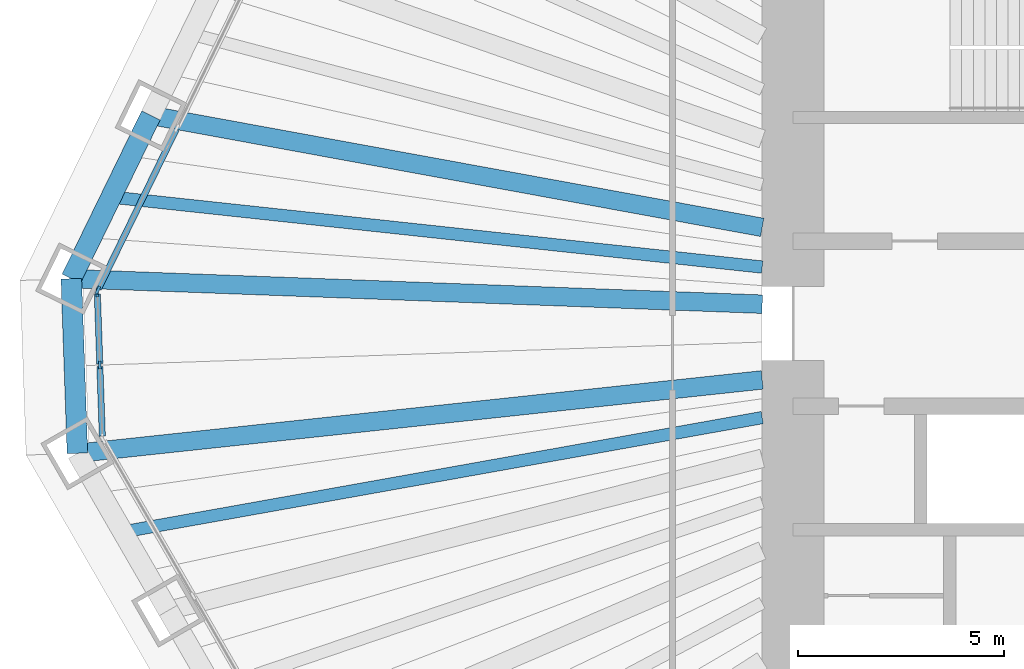
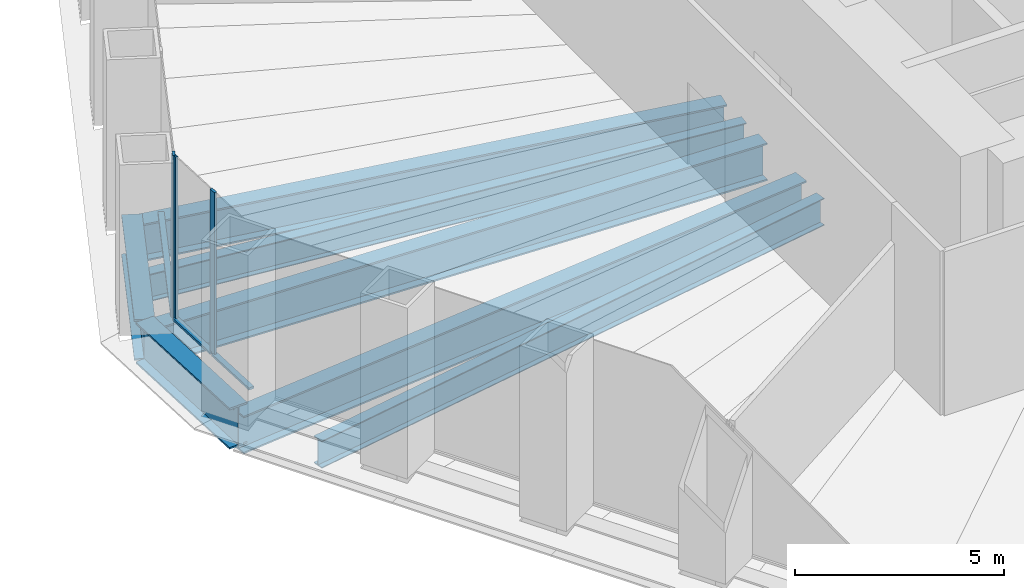
# One storey, part 3 of 14: 7 beams, 6 members, 2 elements without a shape of their own.
"""IFC4 building model written with IfcOpenShell, lengths in metres."""

from ifc_helpers import new_model, si_unit, direction, frame, origin, origin_2d, place, context, subcontext, project, spatial, rectangle, i_section, extrude, material, material_profile, profile_set, type_object, element, aggregate, save


model = new_model("IFC4")

# Units and contexts
model_context = context("Model", 3, precision=1e-05, world=origin(), true_north=direction((0.0, 1.0)))
body_context = subcontext(model_context, "Body", "Model", "MODEL_VIEW")
ifc_project = project(units=[si_unit("LENGTHUNIT", "METRE"), si_unit("AREAUNIT", "SQUARE_METRE"), si_unit("VOLUMEUNIT", "CUBIC_METRE"), si_unit("PLANEANGLEUNIT", "RADIAN"), si_unit("MASSUNIT", "GRAM", prefix="KILO")], contexts=[model_context])

# Site, building, storey
site_placement = place(None, origin())
site = spatial("IfcSite", under=ifc_project, at=site_placement, CompositionType="ELEMENT")
building_placement = place(site_placement, origin())
building = spatial("IfcBuilding", under=site, at=building_placement, Name="Qingtian Harvest Tower", CompositionType="ELEMENT")
storey_placement = place(building_placement, frame((0.0, 0.0, 57.0)))
storey = spatial("IfcBuildingStorey", under=building, at=storey_placement, Name="L11", CompositionType="ELEMENT", Elevation=57.0)

# Beams
ifc_material_1 = material(Name="Steel SM570MC", Category="steel")
ifc_material_profile_1 = material_profile(ifc_material_1, i_section(OverallWidth=0.449951171875, OverallDepth=1.10009765625, WebThickness=0.02197265625, FlangeThickness=0.044921875, at=origin_2d()), Name="H1100x450x22x45")
ifc_profile_set_1 = profile_set([ifc_material_profile_1], Name="Steel SM570MC")
beam_type_1 = type_object("IfcBeamType", Name="Corner floor beam FB8 H1100x450x22x45", PredefinedType="BEAM", material=ifc_profile_set_1)
beam_1_placement = place(storey_placement, frame((-29.36083984375, -3.145751953125, -0.75), z_axis=(0.994308822197, 0.106536219669, 0.0), x_axis=(-0.106536219669, 0.994308822197, 0.0)))
element("IfcBeam", 1, at=beam_1_placement, inside=storey, type_object=beam_type_1, Name="Floor beam FB8 SW6", PredefinedType="BEAM", context=body_context, shape_type="SweptSolid", body=[
    extrude(i_section(OverallWidth=0.449951171875, OverallDepth=1.10009765625, WebThickness=0.02197265625, FlangeThickness=0.044921875, at=origin_2d()), origin(), (0.0, 0.0, 1.0), 16.705810546875),
])
beam_2_placement = place(storey_placement, frame((-29.5087890625, 1.08984375, -0.75), z_axis=(0.999318796571, -0.036904509488, 0.0), x_axis=(0.036904509488, 0.999318796571, 0.0)))
element("IfcBeam", 2, at=beam_2_placement, inside=storey, type_object=beam_type_1, Name="Floor beam FB8 NW0", PredefinedType="BEAM", context=body_context, shape_type="SweptSolid", body=[
    extrude(i_section(OverallWidth=0.449951171875, OverallDepth=1.10009765625, WebThickness=0.02197265625, FlangeThickness=0.044921875, at=origin_2d()), origin(), (0.0, 0.0, 1.0), 16.770263671875),
])
ifc_material_2 = material(Name="Steel SM570MC", Category="steel")
ifc_material_profile_2 = material_profile(ifc_material_2, i_section(OverallWidth=0.449951171875, OverallDepth=1.10009765625, WebThickness=0.02197265625, FlangeThickness=0.044921875, at=origin_2d()), Name="H1100x450x22x45")
ifc_profile_set_2 = profile_set([ifc_material_profile_2], Name="Steel SM570MC")
beam_type_2 = type_object("IfcBeamType", Name="Floor beam FB1 H1100x450x22x45", PredefinedType="BEAM", material=ifc_profile_set_2)
beam_3_placement = place(storey_placement, frame((-27.577880859375, 5.048828125, -0.75), z_axis=(0.98365177106, -0.180081074215, 0.0), x_axis=(0.180081074215, 0.98365177106, 0.0)))
element("IfcBeam", 3, at=beam_3_placement, inside=storey, type_object=beam_type_2, Name="Floor beam FB1 NW1", PredefinedType="BEAM", context=body_context, shape_type="SweptSolid", body=[
    extrude(i_section(OverallWidth=0.449951171875, OverallDepth=1.10009765625, WebThickness=0.02197265625, FlangeThickness=0.044921875, at=origin_2d()), origin(), (0.0, 0.0, 1.0), 15.07421875),
])
ifc_material_3 = material(Name="Steel SN490B", Category="steel")
ifc_material_profile_3 = material_profile(ifc_material_3, i_section(OverallWidth=0.300048828125, OverallDepth=0.800048828125, WebThickness=0.013916015625, FlangeThickness=0.02587890625, at=origin_2d()), Name="H800x300x14x26")
ifc_profile_set_3 = profile_set([ifc_material_profile_3], Name="Steel SN490B")
beam_type_3 = type_object("IfcBeamType", Name="Floor joist J1 H800x300x14x26", PredefinedType="JOIST", material=ifc_profile_set_3)
beam_4_placement = place(storey_placement, frame((-28.259521484375, -5.052978515625, -0.60009765625), z_axis=(0.984387614034, 0.176014275943, 0.0), x_axis=(-0.176014275943, 0.984387614034, 0.0)))
element("IfcBeam", 4, at=beam_4_placement, inside=storey, type_object=beam_type_3, Name="Floor joist J1 SW5", PredefinedType="JOIST", context=body_context, shape_type="SweptSolid", body=[
    extrude(i_section(OverallWidth=0.300048828125, OverallDepth=0.800048828125, WebThickness=0.013916015625, FlangeThickness=0.02587890625, at=origin_2d()), origin(), (0.0, 0.0, 1.0), 15.755615234375),
])
beam_5_placement = place(storey_placement, frame((-28.543212890625, 3.0693359375, -0.60009765625), z_axis=(0.994268320665, -0.106913546948, 0.0), x_axis=(0.106913546948, 0.994268320665, 0.0)))
element("IfcBeam", 5, at=beam_5_placement, inside=storey, type_object=beam_type_3, Name="Floor joist J1 NW0", PredefinedType="JOIST", context=body_context, shape_type="SweptSolid", body=[
    extrude(i_section(OverallWidth=0.300048828125, OverallDepth=0.800048828125, WebThickness=0.013916015625, FlangeThickness=0.02587890625, at=origin_2d()), origin(), (0.0, 0.0, 1.0), 15.88427734375),
])

# Curtain wall, members
ifc_material_4 = material(Name="Bronze-anodised aluminium curtain wall", Category="aluminium")
curtain_wall_type = type_object("IfcCurtainWallType", Name="Curtain wall CW2 farm reception", PredefinedType="USERDEFINED", material=ifc_material_4)
curtain_wall_1_placement = place(storey_placement, origin())
curtain_wall_1 = element("IfcCurtainWall", 6, at=curtain_wall_1_placement, inside=storey, type_object=curtain_wall_type, Name="Curtain wall CW2 L11 SWC", ObjectType="RECESSED CURTAIN WALL", PredefinedType="USERDEFINED")
ifc_material_5 = material(Name="Bronze-anodised aluminium mullion", Category="aluminium")
ifc_material_profile_4 = material_profile(ifc_material_5, rectangle(XDim=0.06494140625, YDim=0.199951171875, at=origin_2d()), Name="AL 65x200")
ifc_profile_set_4 = profile_set([ifc_material_profile_4], Name="Bronze-anodised aluminium mullion")
member_type_1 = type_object("IfcMemberType", Name="Mullion CWM 65x200", PredefinedType="MULLION", material=ifc_profile_set_4)
member_1_placement = place(storey_placement, frame((-28.817138671875, -1.00634765625, 0.0), z_axis=(0.0, 0.0, 1.0), x_axis=(-0.999390827019, -0.034899496703, 0.0)))
member_1 = element("IfcMember", 7, at=member_1_placement, type_object=member_type_1, Name="CW2 mullion 2", PredefinedType="MULLION", context=body_context, shape_type="SweptSolid", body=[
    extrude(rectangle(XDim=0.06494140625, YDim=0.199951171875, at=origin_2d()), origin(), (0.0, 0.0, 1.0), 4.800048828125),
])
member_2_placement = place(storey_placement, frame((-28.87841796875, 0.75048828125, 0.0), z_axis=(0.0, 0.0, 1.0), x_axis=(-0.999390827019, -0.034899496703, 0.0)))
member_2 = element("IfcMember", 8, at=member_2_placement, type_object=member_type_1, Name="CW2 mullion 3", PredefinedType="MULLION", context=body_context, shape_type="SweptSolid", body=[
    extrude(rectangle(XDim=0.06494140625, YDim=0.199951171875, at=origin_2d()), origin(), (0.0, 0.0, 1.0), 4.800048828125),
])

# Curtain wall, member
curtain_wall_2_placement = place(storey_placement, origin())
curtain_wall_2 = element("IfcCurtainWall", 9, at=curtain_wall_2_placement, inside=storey, type_object=curtain_wall_type, Name="Curtain wall CW2 L11 NW0-5", ObjectType="RECESSED CURTAIN WALL", PredefinedType="USERDEFINED")
member_3_placement = place(storey_placement, frame((-28.865234375, 0.812255859375, 0.0), z_axis=(0.0, 0.0, 1.0), x_axis=(-0.898794046299, 0.438371146789, 0.0)))
member_3 = element("IfcMember", 10, at=member_3_placement, type_object=member_type_1, Name="CW2 mullion 1", PredefinedType="MULLION", context=body_context, shape_type="SweptSolid", body=[
    extrude(rectangle(XDim=0.06494140625, YDim=0.199951171875, at=origin_2d()), origin(), (0.0, 0.0, 1.0), 4.800048828125),
])

# Beams
ifc_material_6 = material(Name="Steel SM570MC", Category="steel")
ifc_material_profile_5 = material_profile(ifc_material_6, i_section(OverallWidth=0.5, OverallDepth=1.199951171875, WebThickness=0.02490234375, FlangeThickness=0.050048828125, at=origin_2d()), Name="H1200x500x25x50")
ifc_profile_set_5 = profile_set([ifc_material_profile_5], Name="Steel SM570MC")
beam_type_4 = type_object("IfcBeamType", Name="Spandrel beam SB1 H1200x500x25x50", PredefinedType="SPANDREL", material=ifc_profile_set_5)
beam_6_placement = place(storey_placement, frame((-29.36083984375, -3.145751953125, -0.60009765625), z_axis=(-0.034908677553, 0.999390506375, 0.0), x_axis=(-0.999390506375, -0.034908677553, 0.0)))
element("IfcBeam", 11, at=beam_6_placement, inside=storey, type_object=beam_type_4, Name="Spandrel SB1 SWC", PredefinedType="SPANDREL", context=body_context, shape_type="SweptSolid", body=[
    extrude(i_section(OverallWidth=0.5, OverallDepth=1.199951171875, WebThickness=0.02490234375, FlangeThickness=0.050048828125, at=origin_2d()), origin(), (0.0, 0.0, 1.0), 4.23828125),
])
beam_7_placement = place(storey_placement, frame((-29.5087890625, 1.08984375, -0.60009765625), z_axis=(0.438367938366, 0.898795611145, 0.0), x_axis=(-0.898795611145, 0.438367938366, 0.0)))
element("IfcBeam", 12, at=beam_7_placement, inside=storey, type_object=beam_type_4, Name="Spandrel SB1 NW0", PredefinedType="SPANDREL", context=body_context, shape_type="SweptSolid", body=[
    extrude(i_section(OverallWidth=0.5, OverallDepth=1.199951171875, WebThickness=0.02490234375, FlangeThickness=0.050048828125, at=origin_2d()), origin(), (0.0, 0.0, 1.0), 4.40478515625),
])

# Member
ifc_material_7 = material(Name="Bronze-anodised aluminium transom", Category="aluminium")
ifc_material_profile_6 = material_profile(ifc_material_7, rectangle(XDim=0.14990234375, YDim=0.06494140625, at=origin_2d()), Name="AL 65x150")
ifc_profile_set_6 = profile_set([ifc_material_profile_6], Name="Bronze-anodised aluminium transom")
member_type_2 = type_object("IfcMemberType", Name="Transom CWT 65x150", PredefinedType="USERDEFINED", material=ifc_profile_set_6)
member_4_placement = place(storey_placement, frame((-28.7568359375, -2.730712890625, 0.032470703125), z_axis=(-0.034899362377, 0.99939083171, 0.0), x_axis=(-0.99939083171, -0.034899362377, 0.0)))
member_4 = element("IfcMember", 13, at=member_4_placement, type_object=member_type_2, Name="CW2 transom 1.1", ObjectType="TRANSOM", PredefinedType="USERDEFINED", context=body_context, shape_type="SweptSolid", body=[
    extrude(rectangle(XDim=0.14990234375, YDim=0.06494140625, at=origin_2d()), origin(), (0.0, 0.0, 1.0), 1.69287109375),
])

member_5_placement = place(storey_placement, frame((-28.818115234375, -0.973876953125, 0.032470703125), z_axis=(-0.034899362377, 0.99939083171, 0.0), x_axis=(-0.99939083171, -0.034899362377, 0.0)))
member_5 = element("IfcMember", 14, at=member_5_placement, type_object=member_type_2, Name="CW2 transom 2.1", ObjectType="TRANSOM", PredefinedType="USERDEFINED", context=body_context, shape_type="SweptSolid", body=[
    extrude(rectangle(XDim=0.14990234375, YDim=0.06494140625, at=origin_2d()), origin(), (0.0, 0.0, 1.0), 1.69287109375),
])

aggregate(curtain_wall_1, [member_1, member_2, member_4, member_5])

member_6_placement = place(storey_placement, frame((-28.85107421875, 0.841552734375, 0.032470703125), z_axis=(0.438394595167, 0.898782609383, 0.0), x_axis=(-0.898782609383, 0.438394595167, 0.0)))
member_6 = element("IfcMember", 15, at=member_6_placement, type_object=member_type_2, Name="CW2 transom 1.1", ObjectType="TRANSOM", PredefinedType="USERDEFINED", context=body_context, shape_type="SweptSolid", body=[
    extrude(rectangle(XDim=0.14990234375, YDim=0.06494140625, at=origin_2d()), origin(), (0.0, 0.0, 1.0), 4.30712890625),
])

aggregate(curtain_wall_2, [member_3, member_6])

save(model, "model.ifc")
